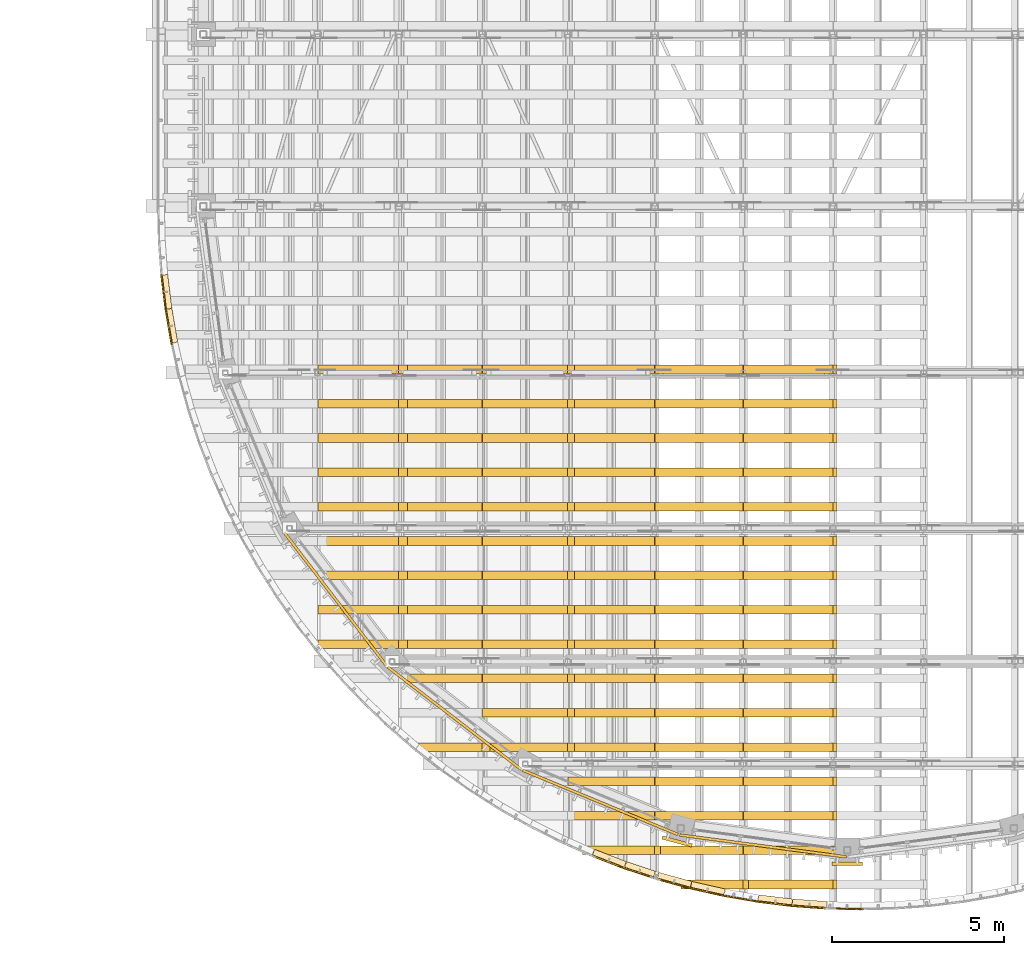
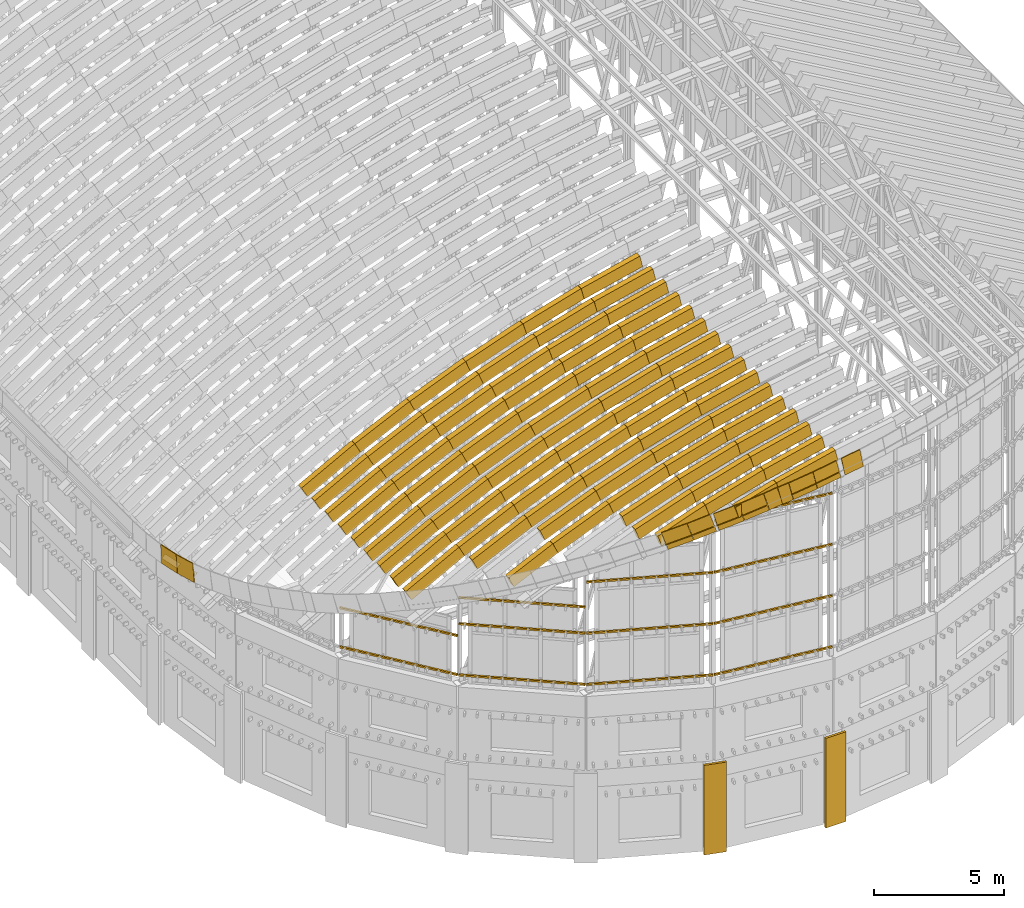
# One storey, part 84 of 105: 112 coverings.
"""IFC4 building model written with IfcOpenShell, lengths in metres."""

from ifc_helpers import new_model, si_unit, direction, frame, origin, origin_2d, place, context, subcontext, project, spatial, polyline, rectangle, outline, extrude, material, layer, layer_set, material_profile, profile_set, type_object, element, save


model = new_model("IFC4")

# Units and contexts
model_context = context("Model", 3, precision=1e-05, world=origin(), true_north=direction((0.0, 1.0)))
body_context = subcontext(model_context, "Body", "Model", "MODEL_VIEW")
ifc_project = project(units=[si_unit("LENGTHUNIT", "METRE"), si_unit("AREAUNIT", "SQUARE_METRE"), si_unit("VOLUMEUNIT", "CUBIC_METRE"), si_unit("PLANEANGLEUNIT", "RADIAN"), si_unit("MASSUNIT", "GRAM", prefix="KILO")], contexts=[model_context])

# Site, building, storey
site_placement = place(None, origin())
site = spatial("IfcSite", under=ifc_project, at=site_placement, CompositionType="ELEMENT")
building_placement = place(site_placement, origin())
building = spatial("IfcBuilding", under=site, at=building_placement, Name="Wasatch Bagh Community Centre", CompositionType="ELEMENT")
storey_placement = place(building_placement, frame((0.0, 0.0, 16.800048828125)))
storey = spatial("IfcBuildingStorey", under=building, at=storey_placement, Name="L04", CompositionType="ELEMENT", Elevation=16.800048828125)

# Coverings
ifc_material_1 = material(Name="White precast concrete C40/50", Category="concrete")
ifc_layer = layer(ifc_material_1, 0.10009765625)
ifc_layer_set = layer_set([ifc_layer], Name="White precast concrete C40/50")
covering_type_1 = type_object("IfcCoveringType", Name="MH column casing", PredefinedType="CLADDING", material=ifc_layer_set)
for number, where, z_axis, x_axis, name in (
    (1, (31.043701171875, 16.50244140625, 0.0), (0.0, 0.0, 1.0), (0.965925826289, -0.258819045103, 0.0), "Column casing S5 L04"),
    (2, (36.0, 15.85009765625, 0.0), (0.0, 0.0, 1.0), (1.0, 0.0, 0.0), "Column casing S6 L04"),
):
    element("IfcCovering", number, at=place(storey_placement, frame(where, z_axis=z_axis, x_axis=x_axis)), inside=storey, type_object=covering_type_1, Name=name, PredefinedType="CLADDING", context=body_context, shape_type="SweptSolid", body=[
        extrude(rectangle(XDim=0.89990234375, YDim=0.10009765625, at=origin_2d()), origin(), (0.0, 0.0, 1.0), 4.199951171875),
    ])
ifc_material_2 = material(Name="ASTM A653 Grade 50 steel, zinc-aluminium coated", Category="steel")
ifc_material_profile_1 = material_profile(ifc_material_2, outline(polyline([(-0.080078125, 0.0029296875), (0.152099609375, 0.0029296875), (0.152099609375, -0.031982421875), (0.14892578125, -0.031982421875), (0.14892578125, 0.0), (-0.080078125, 0.0), (-0.080078125, 0.0029296875)])), Name="DRIP EDGE")
ifc_profile_set_1 = profile_set([ifc_material_profile_1], Name="ASTM A653 Grade 50 steel, zinc-aluminium coated")
covering_type_2 = type_object("IfcCoveringType", Name="MH drip edge", PredefinedType="CLADDING", material=ifc_profile_set_1)
covering_1_placement = place(storey_placement, frame((35.397705078125, 14.6748046875, 17.5126953125), z_axis=(-0.9706297765, 0.0716765382, -0.229652587278), x_axis=(-0.069754248482, -0.997427929049, -0.016488516371)))
element("IfcCovering", 3, at=covering_1_placement, inside=storey, type_object=covering_type_2, Name="Drip edge 40", PredefinedType="CLADDING", context=body_context, shape_type="SweptSolid", body=[
    extrude(outline(polyline([(-0.080078125, 0.0029296875), (0.152099609375, 0.0029296875), (0.152099609375, -0.031982421875), (0.14892578125, -0.031982421875), (0.14892578125, 0.0), (-0.080078125, 0.0), (-0.080078125, 0.0029296875)])), origin(), (0.0, 0.0, 1.0), 1.0185546875),
])
covering_2_placement = place(storey_placement, frame((34.4013671875, 14.74853515625, 17.27685546875), z_axis=(-0.96619447747, 0.119215157722, -0.228595664605), x_axis=(-0.116013340976, -0.992868443527, -0.027443734504)))
element("IfcCovering", 4, at=covering_2_placement, inside=storey, type_object=covering_type_2, Name="Drip edge 41", PredefinedType="CLADDING", context=body_context, shape_type="SweptSolid", body=[
    extrude(outline(polyline([(-0.080078125, 0.0029296875), (0.152099609375, 0.0029296875), (0.152099609375, -0.031982421875), (0.14892578125, -0.031982421875), (0.14892578125, 0.0), (-0.080078125, 0.0), (-0.080078125, 0.0029296875)])), origin(), (0.0, 0.0, 1.0), 1.017822265625),
])
covering_3_placement = place(storey_placement, frame((32.42626953125, 15.041748046875, 16.78564453125), z_axis=(-0.938312933245, 0.210830222315, -0.274079289009), x_axis=(-0.202393598222, -0.977522691535, -0.059044211675)))
element("IfcCovering", 5, at=covering_3_placement, inside=storey, type_object=covering_type_2, Name="Drip edge 44", PredefinedType="CLADDING", context=body_context, shape_type="SweptSolid", body=[
    extrude(outline(polyline([(-0.080078125, 0.0029296875), (0.152099609375, 0.0029296875), (0.152099609375, -0.031982421875), (0.14892578125, -0.031982421875), (0.14892578125, 0.0), (-0.080078125, 0.0), (-0.080078125, 0.0029296875)])), origin(), (0.0, 0.0, 1.0), 1.030517578125),
])
covering_4_placement = place(storey_placement, frame((31.45166015625, 15.260986328125, 16.501220703125), z_axis=(-0.927763387179, 0.256539735479, -0.271002696536), x_axis=(-0.246246402755, -0.966533684889, -0.071939871452)))
element("IfcCovering", 6, at=covering_4_placement, inside=storey, type_object=covering_type_2, Name="Drip edge 45", PredefinedType="CLADDING", context=body_context, shape_type="SweptSolid", body=[
    extrude(outline(polyline([(-0.080078125, 0.0029296875), (0.152099609375, 0.0029296875), (0.152099609375, -0.031982421875), (0.14892578125, -0.031982421875), (0.14892578125, 0.0), (-0.080078125, 0.0), (-0.080078125, 0.0029296875)])), origin(), (0.0, 0.0, 1.0), 1.02978515625),
])
covering_5_placement = place(storey_placement, frame((30.391357421875, 15.559814453125, 16.19921875), z_axis=(-0.901412118172, 0.297687764641, -0.31438541314), x_axis=(-0.281064884476, -0.954663287295, -0.098084344349)))
element("IfcCovering", 7, at=covering_5_placement, inside=storey, type_object=covering_type_2, Name="Drip edge 47", PredefinedType="CLADDING", context=body_context, shape_type="SweptSolid", body=[
    extrude(outline(polyline([(-0.080078125, 0.0029296875), (0.152099609375, 0.0029296875), (0.152099609375, -0.031982421875), (0.14892578125, -0.031982421875), (0.14892578125, 0.0), (-0.080078125, 0.0), (-0.080078125, 0.0029296875)])), origin(), (0.0, 0.0, 1.0), 0.935791015625),
])
covering_6_placement = place(storey_placement, frame((29.540771484375, 15.841064453125, 15.90234375), z_axis=(-0.88722635202, 0.342195802614, -0.30940496595), x_axis=(-0.323094816078, -0.939628666186, -0.112728476906)))
element("IfcCovering", 8, at=covering_6_placement, inside=storey, type_object=covering_type_2, Name="Drip edge 48", PredefinedType="CLADDING", context=body_context, shape_type="SweptSolid", body=[
    extrude(outline(polyline([(-0.080078125, 0.0029296875), (0.152099609375, 0.0029296875), (0.152099609375, -0.031982421875), (0.14892578125, -0.031982421875), (0.14892578125, 0.0), (-0.080078125, 0.0), (-0.080078125, 0.0029296875)])), origin(), (0.0, 0.0, 1.0), 1.042236328125),
])
covering_7_placement = place(storey_placement, frame((16.4404296875, 31.033935546875, 9.337890625), z_axis=(-0.169902878938, 0.978777680106, -0.11457427571), x_axis=(-0.811197304634, -0.204924962907, -0.547690325395)))
element("IfcCovering", 9, at=covering_7_placement, inside=storey, type_object=covering_type_2, Name="Drip edge 74", PredefinedType="CLADDING", context=body_context, shape_type="SweptSolid", body=[
    extrude(outline(polyline([(-0.080078125, 0.0029296875), (0.152099609375, 0.0029296875), (0.152099609375, -0.031982421875), (0.14892578125, -0.031982421875), (0.14892578125, 0.0), (-0.080078125, 0.0), (-0.080078125, 0.0029296875)])), origin(), (0.0, 0.0, 1.0), 0.997314453125),
])
covering_8_placement = place(storey_placement, frame((16.269775390625, 32.01806640625, 9.222900390625), z_axis=(-0.12204014719, 0.989089965555, -0.082506015002), x_axis=(-0.819746225933, -0.147312701226, -0.553457399558)))
element("IfcCovering", 10, at=covering_8_placement, inside=storey, type_object=covering_type_2, Name="Drip edge 75", PredefinedType="CLADDING", context=body_context, shape_type="SweptSolid", body=[
    extrude(outline(polyline([(-0.080078125, 0.0029296875), (0.152099609375, 0.0029296875), (0.152099609375, -0.031982421875), (0.14892578125, -0.031982421875), (0.14892578125, 0.0), (-0.080078125, 0.0), (-0.080078125, 0.0029296875)])), origin(), (0.0, 0.0, 1.0), 0.994140625),
])
ifc_material_profile_2 = material_profile(ifc_material_2, rectangle(XDim=0.0400390625, YDim=0.85009765625, at=origin_2d()), Name="FASCIA 40x850")
ifc_profile_set_2 = profile_set([ifc_material_profile_2], Name="ASTM A653 Grade 50 steel, zinc-aluminium coated")
covering_type_3 = type_object("IfcCoveringType", Name="MH eave fascia 40x850", PredefinedType="CLADDING", material=ifc_profile_set_2)
covering_9_placement = place(storey_placement, frame((36.39306640625, 14.530029296875, 17.83203125), z_axis=(-0.983414730485, 0.024399397247, -0.179722389474), x_axis=(-0.024803259561, -0.999692351834, 0.0)))
element("IfcCovering", 11, at=covering_9_placement, inside=storey, type_object=covering_type_3, Name="Eave fascia 38", PredefinedType="CLADDING", context=body_context, shape_type="SweptSolid", body=[
    extrude(rectangle(XDim=0.0400390625, YDim=0.85009765625, at=origin_2d()), origin(), (0.0, 0.0, 1.0), 0.820556640625),
])
covering_10_placement = place(storey_placement, frame((35.388671875, 14.55517578125, 17.64892578125), z_axis=(-0.970632554895, 0.071454669308, -0.229709977171), x_axis=(-0.073417928892, -0.997301262266, 0.0)))
element("IfcCovering", 12, at=covering_10_placement, inside=storey, type_object=covering_type_3, Name="Eave fascia 40", PredefinedType="CLADDING", context=body_context, shape_type="SweptSolid", body=[
    extrude(rectangle(XDim=0.0400390625, YDim=0.85009765625, at=origin_2d()), origin(), (0.0, 0.0, 1.0), 1.01806640625),
])
covering_11_placement = place(storey_placement, frame((34.38671875, 14.62939453125, 17.4130859375), z_axis=(-0.96619447747, 0.119215157722, -0.228595664605), x_axis=(-0.122457658417, -0.992473738642, 0.0)))
element("IfcCovering", 13, at=covering_11_placement, inside=storey, type_object=covering_type_3, Name="Eave fascia 41", PredefinedType="CLADDING", context=body_context, shape_type="SweptSolid", body=[
    extrude(rectangle(XDim=0.0400390625, YDim=0.85009765625, at=origin_2d()), origin(), (0.0, 0.0, 1.0), 1.017822265625),
])
covering_12_placement = place(storey_placement, frame((33.3896484375, 14.752685546875, 17.178466796875), z_axis=(-0.959513031014, 0.166308392545, -0.227324133966), x_axis=(-0.170779546119, -0.985309264458, 0.0)))
element("IfcCovering", 14, at=covering_12_placement, inside=storey, type_object=covering_type_3, Name="Eave fascia 42", PredefinedType="CLADDING", context=body_context, shape_type="SweptSolid", body=[
    extrude(rectangle(XDim=0.0400390625, YDim=0.85009765625, at=origin_2d()), origin(), (0.0, 0.0, 1.0), 0.4521484375),
])
covering_13_placement = place(storey_placement, frame((32.9482421875, 14.829345703125, 17.08544921875), z_axis=(-0.947013161457, 0.164171989669, -0.276068161574), x_axis=(-0.170809997565, -0.985303985952, 0.0)))
element("IfcCovering", 15, at=covering_13_placement, inside=storey, type_object=covering_type_3, Name="Eave fascia 43", PredefinedType="CLADDING", context=body_context, shape_type="SweptSolid", body=[
    extrude(rectangle(XDim=0.0400390625, YDim=0.85009765625, at=origin_2d()), origin(), (0.0, 0.0, 1.0), 0.565185546875),
])
covering_14_placement = place(storey_placement, frame((32.39990234375, 14.9248046875, 16.9267578125), z_axis=(-0.938420682395, 0.210617517458, -0.273873847223), x_axis=(-0.218990481847, -0.975726995045, 0.0)))
element("IfcCovering", 16, at=covering_14_placement, inside=storey, type_object=covering_type_3, Name="Eave fascia 44", PredefinedType="CLADDING", context=body_context, shape_type="SweptSolid", body=[
    extrude(rectangle(XDim=0.0400390625, YDim=0.85009765625, at=origin_2d()), origin(), (0.0, 0.0, 1.0), 1.030517578125),
])
covering_15_placement = place(storey_placement, frame((31.419677734375, 15.145263671875, 16.64208984375), z_axis=(-0.927706935059, 0.256761208962, -0.270986206689), x_axis=(-0.266741826376, -0.963768020875, 0.0)))
element("IfcCovering", 17, at=covering_15_placement, inside=storey, type_object=covering_type_3, Name="Eave fascia 45", PredefinedType="CLADDING", context=body_context, shape_type="SweptSolid", body=[
    extrude(rectangle(XDim=0.0400390625, YDim=0.85009765625, at=origin_2d()), origin(), (0.0, 0.0, 1.0), 1.02978515625),
])
covering_16_placement = place(storey_placement, frame((30.353759765625, 15.44580078125, 16.345703125), z_axis=(-0.901412118172, 0.297687764641, -0.31438541314), x_axis=(-0.313588115424, -0.949559104988, 0.0)))
element("IfcCovering", 18, at=covering_16_placement, inside=storey, type_object=covering_type_3, Name="Eave fascia 47", PredefinedType="CLADDING", context=body_context, shape_type="SweptSolid", body=[
    extrude(rectangle(XDim=0.0400390625, YDim=0.85009765625, at=origin_2d()), origin(), (0.0, 0.0, 1.0), 0.935791015625),
])
covering_17_placement = place(storey_placement, frame((29.49755859375, 15.72900390625, 16.04833984375), z_axis=(-0.887162038349, 0.342170997367, -0.309616740944), x_axis=(-0.359853690345, -0.933008746768, 0.0)))
element("IfcCovering", 19, at=covering_17_placement, inside=storey, type_object=covering_type_3, Name="Eave fascia 48", PredefinedType="CLADDING", context=body_context, shape_type="SweptSolid", body=[
    extrude(rectangle(XDim=0.0400390625, YDim=0.85009765625, at=origin_2d()), origin(), (0.0, 0.0, 1.0), 1.04248046875),
])
covering_18_placement = place(storey_placement, frame((16.322021484375, 31.013427734375, 9.4658203125), z_axis=(-0.169898108321, 0.978750197501, -0.114815868591), x_axis=(-0.98526596737, -0.171029159919, 0.0)))
element("IfcCovering", 20, at=covering_18_placement, inside=storey, type_object=covering_type_3, Name="Eave fascia 74", PredefinedType="CLADDING", context=body_context, shape_type="SweptSolid", body=[
    extrude(rectangle(XDim=0.0400390625, YDim=0.85009765625, at=origin_2d()), origin(), (0.0, 0.0, 1.0), 0.997314453125),
])
covering_19_placement = place(storey_placement, frame((16.150634765625, 32.00341796875, 9.349365234375), z_axis=(-0.12204014719, 0.989089965555, -0.082506015002), x_axis=(-0.992473738642, -0.122457658417, 0.0)))
element("IfcCovering", 21, at=covering_19_placement, inside=storey, type_object=covering_type_3, Name="Eave fascia 75", PredefinedType="CLADDING", context=body_context, shape_type="SweptSolid", body=[
    extrude(rectangle(XDim=0.0400390625, YDim=0.85009765625, at=origin_2d()), origin(), (0.0, 0.0, 1.0), 0.994140625),
])
ifc_material_3 = material(Name="Aluminium extrusion", Category="aluminium")
ifc_material_profile_3 = material_profile(ifc_material_3, rectangle(XDim=0.080078125, YDim=0.080078125, at=origin_2d()), Name="AL 80x80")
ifc_profile_set_3 = profile_set([ifc_material_profile_3], Name="Aluminium extrusion")
covering_type_4 = type_object("IfcCoveringType", Name="MH fin rail 80x80", PredefinedType="CLADDING", material=ifc_profile_set_3)
for number, where, z_axis, x_axis, name in (
    (22, (19.603271484375, 25.503173828125, 8.199951171875), (0.60878228298, -0.793337338041, 0.0), (0.793337338041, 0.60878228298, 0.0), "Fin rail 3.1"),
    (23, (19.603271484375, 25.503173828125, 10.030029296875), (0.60878228298, -0.793337338041, 0.0), (0.793337338041, 0.60878228298, 0.0), "Fin rail 3.2"),
    (24, (22.6201171875, 21.5830078125, 8.199951171875), (0.793337338041, -0.60878228298, 0.0), (0.60878228298, 0.793337338041, 0.0), "Fin rail 4.1"),
    (25, (22.6201171875, 21.5830078125, 10.599853515625), (0.793337338041, -0.60878228298, 0.0), (0.60878228298, 0.793337338041, 0.0), "Fin rail 4.2"),
    (26, (22.6201171875, 21.5830078125, 11.829833984375), (0.793337338041, -0.60878228298, 0.0), (0.60878228298, 0.793337338041, 0.0), "Fin rail 4.3"),
    (27, (26.548583984375, 18.5771484375, 8.199951171875), (0.923880654153, -0.382680724471, 0.0), (0.382680724471, 0.923880654153, 0.0), "Fin rail 5.1"),
    (28, (26.548583984375, 18.5771484375, 10.599853515625), (0.923880654153, -0.382680724471, 0.0), (0.382680724471, 0.923880654153, 0.0), "Fin rail 5.2"),
    (29, (26.548583984375, 18.5771484375, 13.0), (0.923880654153, -0.382680724471, 0.0), (0.382680724471, 0.923880654153, 0.0), "Fin rail 5.3"),
):
    element("IfcCovering", number, at=place(storey_placement, frame(where, z_axis=z_axis, x_axis=x_axis)), inside=storey, type_object=covering_type_4, Name=name, PredefinedType="CLADDING", context=body_context, shape_type="SweptSolid", body=[
        extrude(rectangle(XDim=0.080078125, YDim=0.080078125, at=origin_2d()), origin(), (0.0, 0.0, 1.0), 4.89453125),
    ])
for number, where, z_axis, x_axis, name in (
    (30, (31.12109375, 16.690673828125, 8.199951171875), (0.991443936339, -0.130533218363, 0.0), (0.130533218363, 0.991443936339, 0.0), "Fin rail 6.1"),
    (31, (31.12109375, 16.690673828125, 10.599853515625), (0.991443936339, -0.130533218363, 0.0), (0.130533218363, 0.991443936339, 0.0), "Fin rail 6.2"),
    (32, (31.12109375, 16.690673828125, 13.0), (0.991443936339, -0.130533218363, 0.0), (0.130533218363, 0.991443936339, 0.0), "Fin rail 6.3"),
    (33, (31.12109375, 16.690673828125, 15.39990234375), (0.991443936339, -0.130533218363, 0.0), (0.130533218363, 0.991443936339, 0.0), "Fin rail 6.4"),
):
    element("IfcCovering", number, at=place(storey_placement, frame(where, z_axis=z_axis, x_axis=x_axis)), inside=storey, type_object=covering_type_4, Name=name, PredefinedType="CLADDING", context=body_context, shape_type="SweptSolid", body=[
        extrude(rectangle(XDim=0.080078125, YDim=0.080078125, at=origin_2d()), origin(), (0.0, 0.0, 1.0), 4.894775390625),
    ])
covering_type_5 = type_object("IfcCoveringType", Name="MH roll-over fin rib", PredefinedType="ROOFING", material=ifc_material_2)
for number, where, z_axis, x_axis, name in (
    (34, (20.582763671875, 22.125, 12.483642578125), (-0.471139156817, 0.0, 0.882058895377), (0.882058895377, 0.0, 0.471139156817), "Seam rib 3.3"),
    (35, (20.582763671875, 23.125, 12.483642578125), (-0.471139156817, 0.0, 0.882058895377), (0.882058895377, 0.0, 0.471139156817), "Seam rib 3.4"),
    (36, (20.582763671875, 24.125, 12.483642578125), (-0.471139156817, 0.0, 0.882058895377), (0.882058895377, 0.0, 0.471139156817), "Seam rib 3.5"),
    (37, (20.582763671875, 25.125, 12.483642578125), (-0.471139156817, 0.0, 0.882058895377), (0.882058895377, 0.0, 0.471139156817), "Seam rib 3.6"),
    (38, (20.582763671875, 26.125, 12.483642578125), (-0.471139156817, 0.0, 0.882058895377), (0.882058895377, 0.0, 0.471139156817), "Seam rib 3.7"),
    (39, (20.582763671875, 27.125, 12.483642578125), (-0.471139156817, 0.0, 0.882058895377), (0.882058895377, 0.0, 0.471139156817), "Seam rib 3.8"),
    (40, (20.582763671875, 28.125, 12.483642578125), (-0.471139156817, 0.0, 0.882058895377), (0.882058895377, 0.0, 0.471139156817), "Seam rib 3.9"),
    (41, (20.582763671875, 29.125, 12.483642578125), (-0.471139156817, 0.0, 0.882058895377), (0.882058895377, 0.0, 0.471139156817), "Seam rib 3.10"),
    (42, (20.582763671875, 30.125, 12.483642578125), (-0.471139156817, 0.0, 0.882058895377), (0.882058895377, 0.0, 0.471139156817), "Seam rib 3.11"),
):
    element("IfcCovering", number, at=place(storey_placement, frame(where, z_axis=z_axis, x_axis=x_axis)), inside=storey, type_object=covering_type_5, Name=name, PredefinedType="ROOFING", context=body_context, shape_type="SweptSolid", body=[
        extrude(outline(polyline([(0.0, 0.0), (2.6676533234711526, 0.0), (2.6676533234711526, 0.25000000000000006), (0.0, 0.25000000000000006), (0.0, 0.0)])), origin(), (0.0, 0.0, -1.0), 0.550048828125),
    ])
covering_20_placement = place(storey_placement, frame((23.413330078125, 19.125, 13.9521484375), z_axis=(-0.424984737952, 0.0, 0.905200515084), x_axis=(0.905200515084, 0.0, 0.424984737952)))
element("IfcCovering", 43, at=covering_20_placement, inside=storey, type_object=covering_type_5, Name="Seam rib 4.2", PredefinedType="ROOFING", context=body_context, shape_type="SweptSolid", body=[
    extrude(outline(polyline([(0.0, 0.0), (2.1571316920531056, 0.0), (2.1571316920531056, 0.25), (0.0, 0.25), (0.0, 0.0)])), origin(), (0.0, 0.0, -1.0), 0.550048828125),
])
for number, where, z_axis, x_axis, name in (
    (44, (22.951171875, 21.125, 13.735107421875), (-0.425003555099, 0.0, 0.905191680338), (0.905191680338, 0.0, 0.425003555099), "Seam rib 4.4"),
    (45, (22.951171875, 22.125, 13.735107421875), (-0.425003555099, 0.0, 0.905191680338), (0.905191680338, 0.0, 0.425003555099), "Seam rib 4.5"),
    (46, (22.951171875, 23.125, 13.735107421875), (-0.425003555099, 0.0, 0.905191680338), (0.905191680338, 0.0, 0.425003555099), "Seam rib 4.6"),
    (47, (22.951171875, 24.125, 13.735107421875), (-0.425003555099, 0.0, 0.905191680338), (0.905191680338, 0.0, 0.425003555099), "Seam rib 4.7"),
    (48, (22.951171875, 25.125, 13.735107421875), (-0.425003555099, 0.0, 0.905191680338), (0.905191680338, 0.0, 0.425003555099), "Seam rib 4.8"),
    (49, (22.951171875, 26.125, 13.735107421875), (-0.425003555099, 0.0, 0.905191680338), (0.905191680338, 0.0, 0.425003555099), "Seam rib 4.9"),
    (50, (22.951171875, 27.125, 13.735107421875), (-0.425003555099, 0.0, 0.905191680338), (0.905191680338, 0.0, 0.425003555099), "Seam rib 4.10"),
    (51, (22.951171875, 28.125, 13.735107421875), (-0.425003555099, 0.0, 0.905191680338), (0.905191680338, 0.0, 0.425003555099), "Seam rib 4.11"),
    (52, (22.951171875, 29.125, 13.735107421875), (-0.425003555099, 0.0, 0.905191680338), (0.905191680338, 0.0, 0.425003555099), "Seam rib 4.12"),
    (53, (22.951171875, 30.125, 13.735107421875), (-0.425003555099, 0.0, 0.905191680338), (0.905191680338, 0.0, 0.425003555099), "Seam rib 4.13"),
):
    element("IfcCovering", number, at=place(storey_placement, frame(where, z_axis=z_axis, x_axis=x_axis)), inside=storey, type_object=covering_type_5, Name=name, PredefinedType="ROOFING", context=body_context, shape_type="SweptSolid", body=[
        extrude(outline(polyline([(0.0, 0.0), (2.667716655298669, 0.0), (2.667716655298669, 0.25), (0.0, 0.25), (0.0, 0.0)])), origin(), (0.0, 0.0, -1.0), 0.550048828125),
    ])
for number, where, z_axis, x_axis, name in (
    (54, (25.381591796875, 19.125, 14.864501953125), (-0.377724112036, 0.0, 0.925918190332), (0.925918190332, 0.0, 0.377724112036), "Seam rib 5.3"),
    (55, (25.381591796875, 20.125, 14.864501953125), (-0.377724112036, 0.0, 0.925918190332), (0.925918190332, 0.0, 0.377724112036), "Seam rib 5.4"),
    (56, (25.381591796875, 21.125, 14.864501953125), (-0.377724112036, 0.0, 0.925918190332), (0.925918190332, 0.0, 0.377724112036), "Seam rib 5.5"),
    (57, (25.381591796875, 22.125, 14.864501953125), (-0.377724112036, 0.0, 0.925918190332), (0.925918190332, 0.0, 0.377724112036), "Seam rib 5.6"),
    (58, (25.381591796875, 23.125, 14.864501953125), (-0.377724112036, 0.0, 0.925918190332), (0.925918190332, 0.0, 0.377724112036), "Seam rib 5.7"),
    (59, (25.381591796875, 24.125, 14.864501953125), (-0.377724112036, 0.0, 0.925918190332), (0.925918190332, 0.0, 0.377724112036), "Seam rib 5.8"),
    (60, (25.381591796875, 25.125, 14.864501953125), (-0.377724112036, 0.0, 0.925918190332), (0.925918190332, 0.0, 0.377724112036), "Seam rib 5.9"),
    (61, (25.381591796875, 26.125, 14.864501953125), (-0.377724112036, 0.0, 0.925918190332), (0.925918190332, 0.0, 0.377724112036), "Seam rib 5.10"),
    (62, (25.381591796875, 27.125, 14.864501953125), (-0.377724112036, 0.0, 0.925918190332), (0.925918190332, 0.0, 0.377724112036), "Seam rib 5.11"),
    (63, (25.381591796875, 28.125, 14.864501953125), (-0.377724112036, 0.0, 0.925918190332), (0.925918190332, 0.0, 0.377724112036), "Seam rib 5.12"),
    (64, (25.381591796875, 29.125, 14.864501953125), (-0.377724112036, 0.0, 0.925918190332), (0.925918190332, 0.0, 0.377724112036), "Seam rib 5.13"),
    (65, (25.381591796875, 30.125, 14.864501953125), (-0.377724112036, 0.0, 0.925918190332), (0.925918190332, 0.0, 0.377724112036), "Seam rib 5.14"),
):
    element("IfcCovering", number, at=place(storey_placement, frame(where, z_axis=z_axis, x_axis=x_axis)), inside=storey, type_object=covering_type_5, Name=name, PredefinedType="ROOFING", context=body_context, shape_type="SweptSolid", body=[
        extrude(outline(polyline([(0.0, 0.0), (2.6681179937617836, 0.0), (2.6681179937617836, 0.25), (0.0, 0.25), (0.0, 0.0)])), origin(), (0.0, 0.0, -1.0), 0.550048828125),
    ])
covering_21_placement = place(storey_placement, frame((28.28955078125, 16.125, 16.015869140625), z_axis=(-0.329449618511, 0.0, 0.944173156186), x_axis=(0.944173156186, 0.0, 0.329449618511)))
element("IfcCovering", 66, at=covering_21_placement, inside=storey, type_object=covering_type_5, Name="Seam rib 6.1", PredefinedType="ROOFING", context=body_context, shape_type="SweptSolid", body=[
    extrude(outline(polyline([(0.0, 0.0), (2.2216859653929157, 0.0), (2.2216859653929157, 0.25000000000000006), (0.0, 0.25000000000000006), (0.0, 0.0)])), origin(), (0.0, 0.0, -1.0), 0.550048828125),
])
for number, where, z_axis, x_axis, name in (
    (67, (27.867919921875, 17.125, 15.868896484375), (-0.329400612104, 0.0, 0.944190254528), (0.944190254528, 0.0, 0.329400612104), "Seam rib 6.2"),
    (68, (27.867919921875, 18.125, 15.868896484375), (-0.329400612104, 0.0, 0.944190254528), (0.944190254528, 0.0, 0.329400612104), "Seam rib 6.3"),
    (69, (27.867919921875, 19.125, 15.868896484375), (-0.329400612104, 0.0, 0.944190254528), (0.944190254528, 0.0, 0.329400612104), "Seam rib 6.4"),
    (70, (27.867919921875, 20.125, 15.868896484375), (-0.329400612104, 0.0, 0.944190254528), (0.944190254528, 0.0, 0.329400612104), "Seam rib 6.5"),
    (71, (27.867919921875, 21.125, 15.868896484375), (-0.329400612104, 0.0, 0.944190254528), (0.944190254528, 0.0, 0.329400612104), "Seam rib 6.6"),
    (72, (27.867919921875, 22.125, 15.868896484375), (-0.329400612104, 0.0, 0.944190254528), (0.944190254528, 0.0, 0.329400612104), "Seam rib 6.7"),
    (73, (27.867919921875, 23.125, 15.868896484375), (-0.329400612104, 0.0, 0.944190254528), (0.944190254528, 0.0, 0.329400612104), "Seam rib 6.8"),
    (74, (27.867919921875, 24.125, 15.868896484375), (-0.329400612104, 0.0, 0.944190254528), (0.944190254528, 0.0, 0.329400612104), "Seam rib 6.9"),
    (75, (27.867919921875, 25.125, 15.868896484375), (-0.329400612104, 0.0, 0.944190254528), (0.944190254528, 0.0, 0.329400612104), "Seam rib 6.10"),
    (76, (27.867919921875, 26.125, 15.868896484375), (-0.329400612104, 0.0, 0.944190254528), (0.944190254528, 0.0, 0.329400612104), "Seam rib 6.11"),
    (77, (27.867919921875, 27.125, 15.868896484375), (-0.329400612104, 0.0, 0.944190254528), (0.944190254528, 0.0, 0.329400612104), "Seam rib 6.12"),
    (78, (27.867919921875, 28.125, 15.868896484375), (-0.329400612104, 0.0, 0.944190254528), (0.944190254528, 0.0, 0.329400612104), "Seam rib 6.13"),
    (79, (27.867919921875, 29.125, 15.868896484375), (-0.329400612104, 0.0, 0.944190254528), (0.944190254528, 0.0, 0.329400612104), "Seam rib 6.14"),
    (80, (27.867919921875, 30.125, 15.868896484375), (-0.329400612104, 0.0, 0.944190254528), (0.944190254528, 0.0, 0.329400612104), "Seam rib 6.15"),
):
    element("IfcCovering", number, at=place(storey_placement, frame(where, z_axis=z_axis, x_axis=x_axis)), inside=storey, type_object=covering_type_5, Name=name, PredefinedType="ROOFING", context=body_context, shape_type="SweptSolid", body=[
        extrude(outline(polyline([(0.0, 0.0), (2.668198593761736, 0.0), (2.668198593761736, 0.25), (0.0, 0.25), (0.0, 0.0)])), origin(), (0.0, 0.0, -1.0), 0.550048828125),
    ])
covering_22_placement = place(storey_placement, frame((31.15185546875, 15.125, 16.963623046875), z_axis=(-0.280198602708, 0.0, 0.959942051918), x_axis=(0.959942051918, 0.0, 0.280198602708)))
element("IfcCovering", 81, at=covering_22_placement, inside=storey, type_object=covering_type_5, Name="Seam rib 7.1", PredefinedType="ROOFING", context=body_context, shape_type="SweptSolid", body=[
    extrude(outline(polyline([(0.0, 0.0), (1.888134806032044, 0.0), (1.888134806032044, 0.25), (0.0, 0.25), (0.0, 0.0)])), origin(), (0.0, 0.0, -1.0), 0.550048828125),
])
for number, where, z_axis, x_axis, name in (
    (82, (30.403076171875, 16.125, 16.744873046875), (-0.280263508519, 0.0, 0.959923104104), (0.959923104104, 0.0, 0.280263508519), "Seam rib 7.2"),
    (83, (30.403076171875, 17.125, 16.744873046875), (-0.280263508519, 0.0, 0.959923104104), (0.959923104104, 0.0, 0.280263508519), "Seam rib 7.3"),
    (84, (30.403076171875, 18.125, 16.744873046875), (-0.280263508519, 0.0, 0.959923104104), (0.959923104104, 0.0, 0.280263508519), "Seam rib 7.4"),
    (85, (30.403076171875, 19.125, 16.744873046875), (-0.280263508519, 0.0, 0.959923104104), (0.959923104104, 0.0, 0.280263508519), "Seam rib 7.5"),
    (86, (30.403076171875, 20.125, 16.744873046875), (-0.280263508519, 0.0, 0.959923104104), (0.959923104104, 0.0, 0.280263508519), "Seam rib 7.6"),
    (87, (30.403076171875, 21.125, 16.744873046875), (-0.280263508519, 0.0, 0.959923104104), (0.959923104104, 0.0, 0.280263508519), "Seam rib 7.7"),
    (88, (30.403076171875, 22.125, 16.744873046875), (-0.280263508519, 0.0, 0.959923104104), (0.959923104104, 0.0, 0.280263508519), "Seam rib 7.8"),
    (89, (30.403076171875, 23.125, 16.744873046875), (-0.280263508519, 0.0, 0.959923104104), (0.959923104104, 0.0, 0.280263508519), "Seam rib 7.9"),
    (90, (30.403076171875, 24.125, 16.744873046875), (-0.280263508519, 0.0, 0.959923104104), (0.959923104104, 0.0, 0.280263508519), "Seam rib 7.10"),
    (91, (30.403076171875, 25.125, 16.744873046875), (-0.280263508519, 0.0, 0.959923104104), (0.959923104104, 0.0, 0.280263508519), "Seam rib 7.11"),
    (92, (30.403076171875, 26.125, 16.744873046875), (-0.280263508519, 0.0, 0.959923104104), (0.959923104104, 0.0, 0.280263508519), "Seam rib 7.12"),
    (93, (30.403076171875, 27.125, 16.744873046875), (-0.280263508519, 0.0, 0.959923104104), (0.959923104104, 0.0, 0.280263508519), "Seam rib 7.13"),
    (94, (30.403076171875, 28.125, 16.744873046875), (-0.280263508519, 0.0, 0.959923104104), (0.959923104104, 0.0, 0.280263508519), "Seam rib 7.14"),
    (95, (30.403076171875, 29.125, 16.744873046875), (-0.280263508519, 0.0, 0.959923104104), (0.959923104104, 0.0, 0.280263508519), "Seam rib 7.15"),
    (96, (30.403076171875, 30.125, 16.744873046875), (-0.280263508519, 0.0, 0.959923104104), (0.959923104104, 0.0, 0.280263508519), "Seam rib 7.16"),
):
    element("IfcCovering", number, at=place(storey_placement, frame(where, z_axis=z_axis, x_axis=x_axis)), inside=storey, type_object=covering_type_5, Name=name, PredefinedType="ROOFING", context=body_context, shape_type="SweptSolid", body=[
        extrude(outline(polyline([(0.0, 0.0), (2.6682129911495487, 0.0), (2.6682129911495487, 0.25), (0.0, 0.25), (0.0, 0.0)])), origin(), (0.0, 0.0, -1.0), 0.550048828125),
    ])
for number, where, z_axis, x_axis, name in (
    (97, (32.98046875, 15.125, 17.490478515625), (-0.2303751915, 0.0, 0.973101881172), (0.973101881172, 0.0, 0.2303751915), "Seam rib 8.1"),
    (98, (32.98046875, 16.125, 17.490478515625), (-0.2303751915, 0.0, 0.973101881172), (0.973101881172, 0.0, 0.2303751915), "Seam rib 8.2"),
    (99, (32.98046875, 17.125, 17.490478515625), (-0.2303751915, 0.0, 0.973101881172), (0.973101881172, 0.0, 0.2303751915), "Seam rib 8.3"),
    (100, (32.98046875, 18.125, 17.490478515625), (-0.2303751915, 0.0, 0.973101881172), (0.973101881172, 0.0, 0.2303751915), "Seam rib 8.4"),
    (101, (32.98046875, 19.125, 17.490478515625), (-0.2303751915, 0.0, 0.973101881172), (0.973101881172, 0.0, 0.2303751915), "Seam rib 8.5"),
    (102, (32.98046875, 20.125, 17.490478515625), (-0.2303751915, 0.0, 0.973101881172), (0.973101881172, 0.0, 0.2303751915), "Seam rib 8.6"),
    (103, (32.98046875, 21.125, 17.490478515625), (-0.2303751915, 0.0, 0.973101881172), (0.973101881172, 0.0, 0.2303751915), "Seam rib 8.7"),
    (104, (32.98046875, 22.125, 17.490478515625), (-0.2303751915, 0.0, 0.973101881172), (0.973101881172, 0.0, 0.2303751915), "Seam rib 8.8"),
    (105, (32.98046875, 23.125, 17.490478515625), (-0.2303751915, 0.0, 0.973101881172), (0.973101881172, 0.0, 0.2303751915), "Seam rib 8.9"),
    (106, (32.98046875, 24.125, 17.490478515625), (-0.2303751915, 0.0, 0.973101881172), (0.973101881172, 0.0, 0.2303751915), "Seam rib 8.10"),
    (107, (32.98046875, 25.125, 17.490478515625), (-0.2303751915, 0.0, 0.973101881172), (0.973101881172, 0.0, 0.2303751915), "Seam rib 8.11"),
    (108, (32.98046875, 26.125, 17.490478515625), (-0.2303751915, 0.0, 0.973101881172), (0.973101881172, 0.0, 0.2303751915), "Seam rib 8.12"),
    (109, (32.98046875, 27.125, 17.490478515625), (-0.2303751915, 0.0, 0.973101881172), (0.973101881172, 0.0, 0.2303751915), "Seam rib 8.13"),
    (110, (32.98046875, 28.125, 17.490478515625), (-0.2303751915, 0.0, 0.973101881172), (0.973101881172, 0.0, 0.2303751915), "Seam rib 8.14"),
    (111, (32.98046875, 29.125, 17.490478515625), (-0.2303751915, 0.0, 0.973101881172), (0.973101881172, 0.0, 0.2303751915), "Seam rib 8.15"),
    (112, (32.98046875, 30.125, 17.490478515625), (-0.2303751915, 0.0, 0.973101881172), (0.973101881172, 0.0, 0.2303751915), "Seam rib 8.16"),
):
    element("IfcCovering", number, at=place(storey_placement, frame(where, z_axis=z_axis, x_axis=x_axis)), inside=storey, type_object=covering_type_5, Name=name, PredefinedType="ROOFING", context=body_context, shape_type="SweptSolid", body=[
        extrude(outline(polyline([(0.0, 0.0), (2.6684561377800424, 0.0), (2.6684561377800424, 0.25), (0.0, 0.25), (0.0, 0.0)])), origin(), (0.0, 0.0, -1.0), 0.550048828125),
    ])

save(model, "model.ifc")
